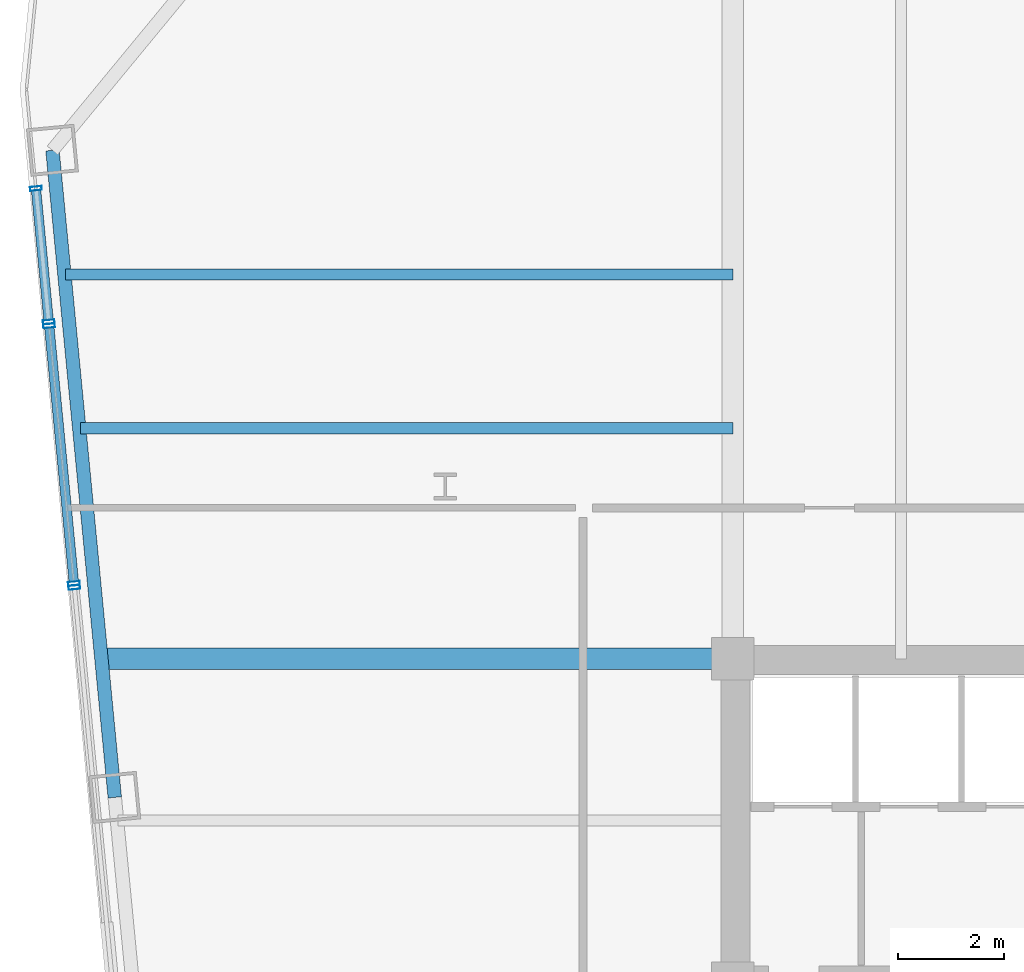
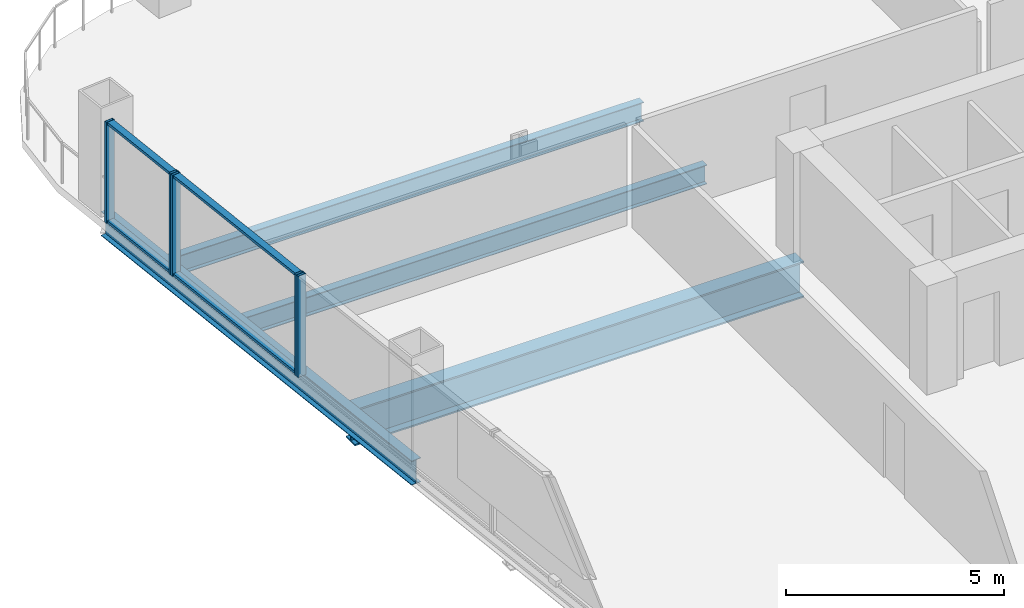
# One storey, part 14 of 27: 9 members, 4 beams, 3 elements without a shape of their own.
"""IFC4 building model written with IfcOpenShell, lengths in metres."""

import ifcopenshell
import ifcopenshell.guid

model = None  # the IFC model being written
_history = None  # IfcOwnerHistory: only IFC2X3 demands one
_inside = {}  # id of a spatial element -> (the spatial element, [elements in it])
_under = {}  # id of a project, library or spatial element -> (it, [spatial elements below it])
_declared = {}  # id of a project -> (the project, [libraries it declares])
_typed = {}  # id of a type object -> (the type object, [elements of that type])
_made_of = {}  # id of a material, layer set ... -> (it, [elements and type objects made of it])


def new_model(schema):
    """Start an empty IFC model of exactly this schema.

    Asked for "IFC4X3", IfcOpenShell would pick the latest addendum, in which some entities
    have other attributes; the version numbers below select the first issue.
    IFC2X3 requires an IfcOwnerHistory on every rooted entity: one is made here for all.
    """
    global model, _history
    if schema == "IFC4X3":
        model = ifcopenshell.file(schema_version=(4, 3, 0, 0))
    else:
        model = ifcopenshell.file(schema=schema)
    _inside.clear()
    _under.clear()
    _declared.clear()
    _typed.clear()
    _made_of.clear()
    _history = None
    if model.schema == "IFC2X3":
        org = make("IfcOrganization", Name="unknown")
        user = make(
            "IfcPersonAndOrganization",
            ThePerson=make("IfcPerson", FamilyName="unknown"),
            TheOrganization=org,
        )
        app = make(
            "IfcApplication",
            ApplicationDeveloper=org,
            Version="unknown",
            ApplicationFullName="unknown",
            ApplicationIdentifier="unknown",
        )
        _history = make(
            "IfcOwnerHistory",
            OwningUser=user,
            OwningApplication=app,
            ChangeAction="ADDED",
            CreationDate=0,
        )
    return model


def make(cls, **values):
    """One entity of the class cls with the attributes given. An attribute that is None is left unset."""
    return model.create_entity(
        cls, **{name: value for name, value in values.items() if value is not None}
    )


def rooted(cls, **values):
    """An entity with a GlobalId (a new one), such as an element, a storey or a relation."""
    return make(cls, GlobalId=ifcopenshell.guid.new(), OwnerHistory=_history, **values)


def si_unit(unit_type, name, prefix=None):
    """IfcSIUnit, for example si_unit("LENGTHUNIT", "METRE", prefix="MILLI")."""
    return make("IfcSIUnit", UnitType=unit_type, Prefix=prefix, Name=name)


def assignment(units):
    """IfcUnitAssignment: the units of a project."""
    return None if units is None else make("IfcUnitAssignment", Units=units)


def point(xyz):
    """IfcCartesianPoint."""
    return None if xyz is None else make("IfcCartesianPoint", Coordinates=xyz)


def direction(xyz):
    """IfcDirection."""
    return None if xyz is None else make("IfcDirection", DirectionRatios=xyz)


def frame(location, z_axis=None, x_axis=None):
    """IfcAxis2Placement3D, a coordinate frame: its origin and axes. An axis left out is left unset."""
    return make(
        "IfcAxis2Placement3D",
        Location=point(location),
        Axis=direction(z_axis),
        RefDirection=direction(x_axis),
    )


def frame_2d(location, x_axis=None):
    """IfcAxis2Placement2D, a coordinate frame in the plane: its origin and x axis."""
    return make(
        "IfcAxis2Placement2D", Location=point(location), RefDirection=direction(x_axis)
    )


def origin():
    """The frame at (0, 0, 0) with its axes left unset."""
    return frame((0.0, 0.0, 0.0))


def origin_2d():
    """The frame at (0, 0) in the plane with its x axis left unset."""
    return frame_2d((0.0, 0.0))


def place(relative_to, where):
    """IfcLocalPlacement: puts the frame where relative to a parent placement (None: the world)."""
    return make(
        "IfcLocalPlacement", PlacementRelTo=relative_to, RelativePlacement=where
    )


def context(
    kind, dimensions, precision=None, world=None, true_north=None, identifier=None
):
    """IfcGeometricRepresentationContext, for example the 3D "Model" context."""
    return make(
        "IfcGeometricRepresentationContext",
        ContextIdentifier=identifier,
        ContextType=kind,
        CoordinateSpaceDimension=dimensions,
        Precision=precision,
        WorldCoordinateSystem=world,
        TrueNorth=true_north,
    )


def subcontext(parent, identifier, kind, view, scale=None):
    """IfcGeometricRepresentationSubContext, for example "Body" below "Model"."""
    return make(
        "IfcGeometricRepresentationSubContext",
        ContextIdentifier=identifier,
        ContextType=kind,
        ParentContext=parent,
        TargetScale=scale,
        TargetView=view,
    )


def project(units=None, contexts=None):
    """IfcProject with its units and contexts."""
    return rooted(
        "IfcProject",
        Name="project",
        RepresentationContexts=contexts,
        UnitsInContext=assignment(units),
    )


def spatial(cls, under=None, at=None, **own):
    """A site, building, storey or space (cls), placed at a placement, below another one or the project."""
    s = rooted(cls, ObjectPlacement=at, **own)
    if under is not None:
        _under.setdefault(under.id(), (under, []))[1].append(s)
    return s


def profile(cls, at=None, kind="AREA", **sizes):
    """A parametric profile (cls). Its sizes go by their IFC names, for example OverallWidth=200.0."""
    return make(cls, ProfileType=kind, Position=at, **sizes)


def hollow_rectangle(**sizes):
    """IfcRectangleHollowProfileDef."""
    return profile("IfcRectangleHollowProfileDef", **sizes)


def i_section(**sizes):
    """IfcIShapeProfileDef."""
    return profile("IfcIShapeProfileDef", **sizes)


def extrude(swept, where, along, depth):
    """IfcExtrudedAreaSolid: the profile swept, set in the frame where, extruded along a direction by depth."""
    return make(
        "IfcExtrudedAreaSolid",
        SweptArea=swept,
        Position=where,
        ExtrudedDirection=direction(along),
        Depth=depth,
    )


def shape(context_of_items, identifier, shape_type, items):
    """IfcShapeRepresentation: the items that make up one representation, for example the "Body"."""
    return make(
        "IfcShapeRepresentation",
        ContextOfItems=context_of_items,
        RepresentationIdentifier=identifier,
        RepresentationType=shape_type,
        Items=items,
    )


def material(Name=None, Category=None):
    """IfcMaterial."""
    return make("IfcMaterial", Name=Name, Category=Category)


def layer(
    of_material, thickness, ventilated=None, Name=None, Category=None, Priority=None
):
    """IfcMaterialLayer: one layer of a wall or slab, of a material (None: an air gap)."""
    return make(
        "IfcMaterialLayer",
        Material=of_material,
        LayerThickness=thickness,
        IsVentilated=ventilated,
        Name=Name,
        Category=Category,
        Priority=Priority,
    )


def layer_set(layers, Name=None):
    """IfcMaterialLayerSet."""
    return make("IfcMaterialLayerSet", MaterialLayers=layers, LayerSetName=Name)


def material_profile(
    of_material, cross_section, Name=None, Category=None, Priority=None
):
    """IfcMaterialProfile: a cross section and its material."""
    return make(
        "IfcMaterialProfile",
        Name=Name,
        Material=of_material,
        Profile=cross_section,
        Priority=Priority,
        Category=Category,
    )


def profile_set(profiles, Name=None, composite=None):
    """IfcMaterialProfileSet."""
    return make(
        "IfcMaterialProfileSet",
        Name=Name,
        MaterialProfiles=profiles,
        CompositeProfile=composite,
    )


def made_of(thing, what):
    """Note that an element or type object is made of a material, layer set ...; save() writes the relation."""
    if what is not None:
        _made_of.setdefault(what.id(), (what, []))[1].append(thing)
    return thing


def type_object(cls, material=None, **own):
    """A type object (cls), such as IfcWallType, which elements share."""
    return made_of(rooted(cls, **own), material)


def element(
    cls,
    number,
    at=None,
    inside=None,
    cuts=None,
    type_object=None,
    material=None,
    context=None,
    identifier="Body",
    shape_type=None,
    held_by="IfcProductDefinitionShape",
    body=None,
    shapes=None,
    **own,
):
    """One element of the class cls, such as IfcWall. Its Tag is "e" and its number.

    at: its placement. inside: the storey or other place that contains it. cuts: it is an
    opening in that element (IfcRelVoidsElement). A single representation is given by context,
    identifier, shape_type and body (its items); several are given by shapes. held_by: the class
    of the entity that holds the representations. save() writes the other relations.
    """
    e = rooted(cls, Tag="e%d" % number, ObjectPlacement=at, **own)
    if body is not None:
        shapes = [shape(context, identifier, shape_type, body)]
    if shapes is not None:
        e.Representation = make(held_by, Representations=shapes)
    if inside is not None:
        _inside.setdefault(inside.id(), (inside, []))[1].append(e)
    if cuts is not None:
        rooted(
            "IfcRelVoidsElement", RelatingBuildingElement=cuts, RelatedOpeningElement=e
        )
    if type_object is not None:
        _typed.setdefault(type_object.id(), (type_object, []))[1].append(e)
    return made_of(e, material)


def aggregate(whole, parts):
    """IfcRelAggregates: a whole, such as a stair, and the parts it consists of."""
    return rooted("IfcRelAggregates", RelatingObject=whole, RelatedObjects=parts)


def save(model, path):
    """Write the relations noted so far, then the file.

    IfcRelAggregates (storeys below a building ...), IfcRelContainedInSpatialStructure (elements
    in a storey), IfcRelDefinesByType, IfcRelAssociatesMaterial and IfcRelDeclares: one each for
    every whole, place, type object, material and project.
    """
    for whole, parts in _under.values():
        aggregate(whole, parts)
    for where, things in _inside.values():
        rooted(
            "IfcRelContainedInSpatialStructure",
            RelatedElements=things,
            RelatingStructure=where,
        )
    for kind, things in _typed.values():
        rooted("IfcRelDefinesByType", RelatedObjects=things, RelatingType=kind)
    for what, things in _made_of.values():
        rooted("IfcRelAssociatesMaterial", RelatedObjects=things, RelatingMaterial=what)
    for by, libraries in _declared.values():
        rooted("IfcRelDeclares", RelatingContext=by, RelatedDefinitions=libraries)
    model.write(path)


model = new_model("IFC4")

# Units and contexts
model_context = context("Model", 3, precision=1e-05, world=origin(), true_north=direction((0.0, 1.0)))
body_context = subcontext(model_context, "Body", "Model", "MODEL_VIEW")
ifc_project = project(units=[si_unit("LENGTHUNIT", "METRE"), si_unit("AREAUNIT", "SQUARE_METRE"), si_unit("VOLUMEUNIT", "CUBIC_METRE"), si_unit("PLANEANGLEUNIT", "RADIAN"), si_unit("MASSUNIT", "GRAM", prefix="KILO")], contexts=[model_context])

# Site, building, storey
site_placement = place(None, origin())
site = spatial("IfcSite", under=ifc_project, at=site_placement, CompositionType="ELEMENT")
building_placement = place(site_placement, origin())
building = spatial("IfcBuilding", under=site, at=building_placement, Name="Qhalaya Broadcast Tower", CompositionType="ELEMENT")
storey_placement = place(building_placement, frame((0.0, 0.0, 75.550048828125)))
storey = spatial("IfcBuildingStorey", under=building, at=storey_placement, Name="L21", CompositionType="ELEMENT", Elevation=75.550048828125)

# Beams
ifc_material_1 = material(Name="Structural Steel ASTM A992 Grade 50", Category="steel")
ifc_material_profile_1 = material_profile(ifc_material_1, i_section(OverallWidth=0.2099609375, OverallDepth=0.535888671875, WebThickness=0.010986328125, FlangeThickness=0.017333984375, at=origin_2d()), Name="W21X68")
ifc_profile_set_1 = profile_set([ifc_material_profile_1], Name="Structural Steel ASTM A992 Grade 50")
beam_type_1 = type_object("IfcBeamType", Name="Composite Floor Joist J02", PredefinedType="JOIST", material=ifc_profile_set_1)
beam_1_placement = place(storey_placement, frame((-21.6875, 14.300048828125, -0.488037109375), z_axis=(1.0, 0.0, 0.0), x_axis=(0.0, 1.0, 0.0)))
element("IfcBeam", 1, at=beam_1_placement, inside=storey, type_object=beam_type_1, Name="L21 J02 L21-JWE6W-1", PredefinedType="JOIST", context=body_context, shape_type="SweptSolid", body=[
    extrude(i_section(OverallWidth=0.2099609375, OverallDepth=0.535888671875, WebThickness=0.010986328125, FlangeThickness=0.017333984375, at=origin_2d()), origin(), (0.0, 0.0, 1.0), 12.3125),
])
beam_2_placement = place(storey_placement, frame((-21.966796875, 17.199951171875, -0.488037109375), z_axis=(1.0, 0.0, 0.0), x_axis=(0.0, 1.0, 0.0)))
element("IfcBeam", 2, at=beam_2_placement, inside=storey, type_object=beam_type_1, Name="L21 J02 L21-JWE7W-1", PredefinedType="JOIST", context=body_context, shape_type="SweptSolid", body=[
    extrude(i_section(OverallWidth=0.2099609375, OverallDepth=0.535888671875, WebThickness=0.010986328125, FlangeThickness=0.017333984375, at=origin_2d()), origin(), (0.0, 0.0, 1.0), 12.591796875),
])
ifc_material_profile_2 = material_profile(ifc_material_1, i_section(OverallWidth=0.40087890625, OverallDepth=1.010986328125, WebThickness=0.023681640625, FlangeThickness=0.0419921875, at=origin_2d()), Name="W40X297")
ifc_profile_set_2 = profile_set([ifc_material_profile_2], Name="Structural Steel ASTM A992 Grade 50")
beam_type_2 = type_object("IfcBeamType", Name="Lower Block Primary Girder PG2", PredefinedType="USERDEFINED", material=ifc_profile_set_2)
beam_3_placement = place(storey_placement, frame((-21.2685546875, 9.949951171875, -0.7255859375), z_axis=(1.0, 0.0, 0.0), x_axis=(0.0, 1.0, 0.0)))
element("IfcBeam", 3, at=beam_3_placement, inside=storey, type_object=beam_type_2, Name="L21 PG2 L21-PGYW4-1", ObjectType="GIRDER", PredefinedType="USERDEFINED", context=body_context, shape_type="SweptSolid", body=[
    extrude(i_section(OverallWidth=0.40087890625, OverallDepth=1.010986328125, WebThickness=0.023681640625, FlangeThickness=0.0419921875, at=origin_2d()), origin(), (0.0, 0.0, 1.0), 11.8935546875),
])
ifc_material_profile_3 = material_profile(ifc_material_1, i_section(OverallWidth=0.25390625, OverallDepth=0.68310546875, WebThickness=0.012451171875, FlangeThickness=0.01904296875, at=origin_2d()), Name="W27X94")
ifc_profile_set_3 = profile_set([ifc_material_profile_3], Name="Structural Steel ASTM A992 Grade 50")
beam_type_3 = type_object("IfcBeamType", Name="Perimeter Ring Spandrel Beam SP1", PredefinedType="SPANDREL", material=ifc_profile_set_3)
beam_4_placement = place(storey_placement, frame((-22.212646484375, 19.54541015625, -0.5615234375), z_axis=(0.095851586307, -0.99539563662, 0.0), x_axis=(0.99539563662, 0.095851586307, 0.0)))
element("IfcBeam", 4, at=beam_4_placement, inside=storey, type_object=beam_type_3, Name="L21 SP1 L21-SPR-13", PredefinedType="SPANDREL", context=body_context, shape_type="SweptSolid", body=[
    extrude(i_section(OverallWidth=0.25390625, OverallDepth=0.68310546875, WebThickness=0.012451171875, FlangeThickness=0.01904296875, at=origin_2d()), origin(), (0.0, 0.0, 1.0), 12.2666015625),
])

# Curtain wall, members
ifc_material_2 = material(Name="Fired Architectural Terracotta", Category="masonry")
ifc_layer_1 = layer(ifc_material_2, 0.219970703125, Name="Fired Architectural Terracotta")
ifc_layer_set_1 = layer_set([ifc_layer_1], Name="Fired Architectural Terracotta")
curtain_wall_type_1 = type_object("IfcCurtainWallType", Name="Block-Cap Unitised Terracotta Spandrel Wall CW-07", PredefinedType="NOTDEFINED", material=ifc_layer_set_1)
curtain_wall_1_placement = place(storey_placement, origin())
curtain_wall_1 = element("IfcCurtainWall", 5, at=curtain_wall_1_placement, inside=storey, type_object=curtain_wall_type_1, Name="L21 Unitised Curtain Wall L21-CW-W1", PredefinedType="NOTDEFINED")
ifc_material_3 = material(Name="Anodised Aluminium 6063-T6", Category="aluminium")
ifc_material_profile_4 = material_profile(ifc_material_3, hollow_rectangle(XDim=0.074951171875, YDim=0.219970703125, WallThickness=0.00390625, at=origin_2d()), Name="ALU-MUL 75x220x4")
ifc_profile_set_4 = profile_set([ifc_material_profile_4], Name="Anodised Aluminium 6063-T6")
member_type_1 = type_object("IfcMemberType", Name="Unitised Curtain-Wall Mullion M01", PredefinedType="MULLION", material=ifc_profile_set_4)
member_1_placement = place(storey_placement, frame((-22.52490234375, 18.82470703125, 0.0), z_axis=(0.0, 0.0, 1.0), x_axis=(0.095852900962, -0.995395510025, 0.0)))
member_1 = element("IfcMember", 6, at=member_1_placement, type_object=member_type_1, Name="CW-07 mullion 1", PredefinedType="MULLION", context=body_context, shape_type="SweptSolid", body=[
    extrude(hollow_rectangle(XDim=0.074951171875, YDim=0.219970703125, WallThickness=0.00390625, at=origin_2d()), origin(), (0.0, 0.0, 1.0), 2.829833984375),
])
member_2_placement = place(storey_placement, frame((-22.28271484375, 16.307373046875, 0.0), z_axis=(0.0, 0.0, 1.0), x_axis=(0.095852900962, -0.995395510025, 0.0)))
member_2 = element("IfcMember", 7, at=member_2_placement, type_object=member_type_1, Name="CW-07 mullion 2", PredefinedType="MULLION", context=body_context, shape_type="SweptSolid", body=[
    extrude(hollow_rectangle(XDim=0.074951171875, YDim=0.219970703125, WallThickness=0.00390625, at=origin_2d()), origin(), (0.0, 0.0, 1.0), 2.829833984375),
])

ifc_material_4 = material(Name="Solar-Control Low-E Triple Glazing", Category="glass")
ifc_layer_2 = layer(ifc_material_4, 0.219970703125, Name="Solar-Control Low-E Triple Glazing")
ifc_layer_set_2 = layer_set([ifc_layer_2], Name="Solar-Control Low-E Triple Glazing")
curtain_wall_type_2 = type_object("IfcCurtainWallType", Name="Even-Block 4-Storey Double-Module Curtain Wall CW-03", PredefinedType="NOTDEFINED", material=ifc_layer_set_2)
curtain_wall_2_placement = place(storey_placement, origin())
curtain_wall_2 = element("IfcCurtainWall", 8, at=curtain_wall_2_placement, inside=storey, type_object=curtain_wall_type_2, Name="L21 Unitised Curtain Wall L21-CW-W2", PredefinedType="NOTDEFINED")
member_3_placement = place(storey_placement, frame((-22.275390625, 16.232666015625, 0.0), z_axis=(0.0, 0.0, 1.0), x_axis=(0.095844611292, -0.995396308254, 0.0)))
member_3 = element("IfcMember", 9, at=member_3_placement, type_object=member_type_1, Name="CW-03 mullion 1", PredefinedType="MULLION", context=body_context, shape_type="SweptSolid", body=[
    extrude(hollow_rectangle(XDim=0.074951171875, YDim=0.219970703125, WallThickness=0.00390625, at=origin_2d()), origin(), (0.0, 0.0, 1.0), 2.829833984375),
])
member_4_placement = place(storey_placement, frame((-21.807373046875, 11.3720703125, 0.0), z_axis=(0.0, 0.0, 1.0), x_axis=(0.095844611292, -0.995396308254, 0.0)))
member_4 = element("IfcMember", 10, at=member_4_placement, type_object=member_type_1, Name="CW-03 mullion 2", PredefinedType="MULLION", context=body_context, shape_type="SweptSolid", body=[
    extrude(hollow_rectangle(XDim=0.074951171875, YDim=0.219970703125, WallThickness=0.00390625, at=origin_2d()), origin(), (0.0, 0.0, 1.0), 2.829833984375),
])

# Curtain wall, member
curtain_wall_3_placement = place(storey_placement, origin())
curtain_wall_3 = element("IfcCurtainWall", 11, at=curtain_wall_3_placement, inside=storey, type_object=curtain_wall_type_1, Name="L21 Unitised Curtain Wall L21-CW-W3", PredefinedType="NOTDEFINED")
member_5_placement = place(storey_placement, frame((-21.80029296875, 11.29736328125, 0.0), z_axis=(0.0, 0.0, 1.0), x_axis=(0.095849092763, -0.995395876733, 0.0)))
member_5 = element("IfcMember", 12, at=member_5_placement, type_object=member_type_1, Name="CW-07 mullion 1", PredefinedType="MULLION", context=body_context, shape_type="SweptSolid", body=[
    extrude(hollow_rectangle(XDim=0.074951171875, YDim=0.219970703125, WallThickness=0.00390625, at=origin_2d()), origin(), (0.0, 0.0, 1.0), 2.829833984375),
])
aggregate(curtain_wall_3, [member_5])

# Member
ifc_material_profile_5 = material_profile(ifc_material_3, hollow_rectangle(XDim=0.074951171875, YDim=0.179931640625, WallThickness=0.00390625, at=origin_2d()), Name="ALU-TRN 75x180x4")
ifc_profile_set_5 = profile_set([ifc_material_profile_5], Name="Anodised Aluminium 6063-T6")
member_type_2 = type_object("IfcMemberType", Name="Unitised Curtain-Wall Transom T01", PredefinedType="USERDEFINED", material=ifc_profile_set_5)
member_6_placement = place(storey_placement, frame((-22.521484375, 18.787353515625, 0.037353515625), z_axis=(0.095907664817, -0.995390234948, 0.0), x_axis=(0.0, 0.0, 1.0)))
member_6 = element("IfcMember", 13, at=member_6_placement, type_object=member_type_2, Name="CW-07 transom 1.1", ObjectType="TRANSOM", PredefinedType="USERDEFINED", context=body_context, shape_type="SweptSolid", body=[
    extrude(hollow_rectangle(XDim=0.074951171875, YDim=0.179931640625, WallThickness=0.00390625, at=origin_2d()), origin(), (0.0, 0.0, 1.0), 2.453857421875),
])

member_7_placement = place(storey_placement, frame((-22.521484375, 18.787353515625, 2.79248046875), z_axis=(0.095907664817, -0.995390234948, 0.0), x_axis=(0.0, 0.0, 1.0)))
member_7 = element("IfcMember", 14, at=member_7_placement, type_object=member_type_2, Name="CW-07 transom 1.2", ObjectType="TRANSOM", PredefinedType="USERDEFINED", context=body_context, shape_type="SweptSolid", body=[
    extrude(hollow_rectangle(XDim=0.074951171875, YDim=0.179931640625, WallThickness=0.00390625, at=origin_2d()), origin(), (0.0, 0.0, 1.0), 2.453857421875),
])

aggregate(curtain_wall_1, [member_1, member_2, member_6, member_7])

member_8_placement = place(storey_placement, frame((-22.271728515625, 16.1953125, 0.037353515625), z_axis=(0.0958178693, -0.995398882822, 0.0), x_axis=(0.0, 0.0, 1.0)))
member_8 = element("IfcMember", 15, at=member_8_placement, type_object=member_type_2, Name="CW-03 transom 1.1", ObjectType="TRANSOM", PredefinedType="USERDEFINED", context=body_context, shape_type="SweptSolid", body=[
    extrude(hollow_rectangle(XDim=0.074951171875, YDim=0.179931640625, WallThickness=0.00390625, at=origin_2d()), origin(), (0.0, 0.0, 1.0), 4.80810546875),
])

member_9_placement = place(storey_placement, frame((-22.271728515625, 16.1953125, 2.79248046875), z_axis=(0.0958178693, -0.995398882822, 0.0), x_axis=(0.0, 0.0, 1.0)))
member_9 = element("IfcMember", 16, at=member_9_placement, type_object=member_type_2, Name="CW-03 transom 1.2", ObjectType="TRANSOM", PredefinedType="USERDEFINED", context=body_context, shape_type="SweptSolid", body=[
    extrude(hollow_rectangle(XDim=0.074951171875, YDim=0.179931640625, WallThickness=0.00390625, at=origin_2d()), origin(), (0.0, 0.0, 1.0), 4.80810546875),
])

aggregate(curtain_wall_2, [member_3, member_4, member_8, member_9])

save(model, "model.ifc")
